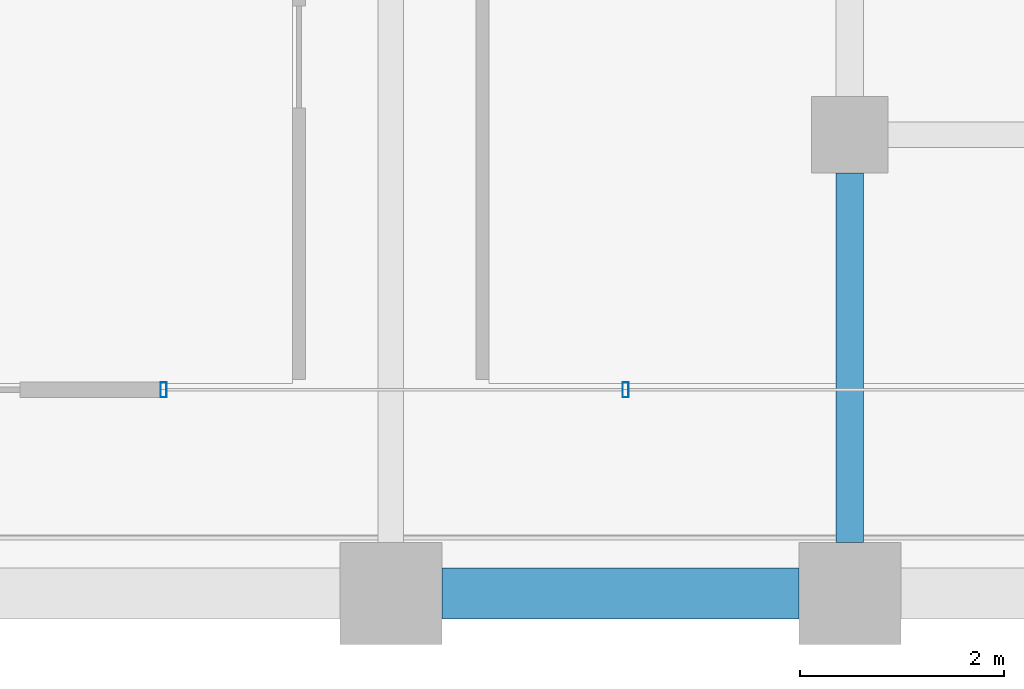
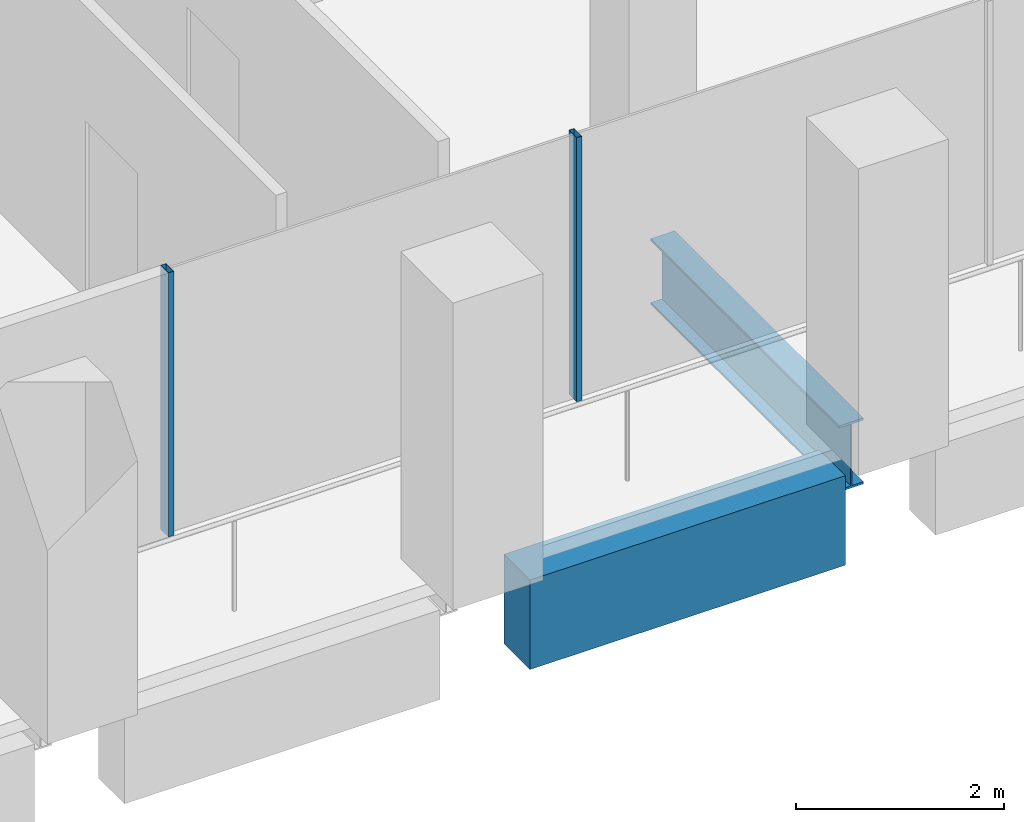
# One storey, part 9 of 46: 2 beams, 2 members, 1 element without a shape of its own.
"""IFC4 building model written with IfcOpenShell, lengths in metres."""

from ifc_helpers import new_model, si_unit, direction, frame, origin, origin_2d, place, context, subcontext, project, spatial, rectangle, hollow_rectangle, i_section, extrude, material, material_profile, profile_set, type_object, element, aggregate, save


model = new_model("IFC4")

# Units and contexts
model_context = context("Model", 3, precision=1e-05, world=origin(), true_north=direction((0.0, 1.0)))
body_context = subcontext(model_context, "Body", "Model", "MODEL_VIEW")
ifc_project = project(units=[si_unit("LENGTHUNIT", "METRE"), si_unit("AREAUNIT", "SQUARE_METRE"), si_unit("VOLUMEUNIT", "CUBIC_METRE"), si_unit("PLANEANGLEUNIT", "RADIAN"), si_unit("MASSUNIT", "GRAM", prefix="KILO")], contexts=[model_context])

# Site, building, storey
site_placement = place(None, origin())
site = spatial("IfcSite", under=ifc_project, at=site_placement, CompositionType="ELEMENT")
building_placement = place(site_placement, origin())
building = spatial("IfcBuilding", under=site, at=building_placement, Name="Altepetl Exchange Towers", CompositionType="ELEMENT")
storey_placement = place(building_placement, frame((0.0, 0.0, 131.60009765625)))
storey = spatial("IfcBuildingStorey", under=building, at=storey_placement, Name="L32", CompositionType="ELEMENT", Elevation=131.60009765625)

# Beam
ifc_material_1 = material(Name="Steel S355", Category="steel")
ifc_material_profile_1 = material_profile(ifc_material_1, i_section(OverallWidth=0.26806640625, OverallDepth=0.77392578125, WebThickness=0.015380859375, FlangeThickness=0.025390625, at=origin_2d()), Name="W30X132")
ifc_profile_set_1 = profile_set([ifc_material_profile_1], Name="Steel S355")
beam_type_1 = type_object("IfcBeamType", Name="Girder W30X132", PredefinedType="BEAM", material=ifc_profile_set_1)
beam_1_placement = place(storey_placement, frame((58.5, 31.125, -0.537109375), z_axis=(0.0, -1.0, 0.0), x_axis=(1.0, 0.0, 0.0)))
element("IfcBeam", 1, at=beam_1_placement, inside=storey, type_object=beam_type_1, Name="gd:A:L32:005", PredefinedType="BEAM", context=body_context, shape_type="SweptSolid", body=[
    extrude(i_section(OverallWidth=0.26806640625, OverallDepth=0.77392578125, WebThickness=0.015380859375, FlangeThickness=0.025390625, at=origin_2d()), origin(), (0.0, 0.0, 1.0), 3.625),
])

# Curtain wall, members
ifc_material_2 = material(Name="Aluminium 6063-T6 glazing", Category="aluminium")
curtain_wall_type = type_object("IfcCurtainWallType", Name="Loggia glazing system", PredefinedType="NOTDEFINED", material=ifc_material_2)
curtain_wall_placement = place(storey_placement, origin())
curtain_wall = element("IfcCurtainWall", 2, at=curtain_wall_placement, inside=storey, type_object=curtain_wall_type, Name="CW1 run", PredefinedType="NOTDEFINED")
ifc_material_3 = material(Name="Aluminium 6063-T6", Category="aluminium")
ifc_material_profile_2 = material_profile(ifc_material_3, hollow_rectangle(XDim=0.06005859375, YDim=0.14990234375, WallThickness=0.0029296875, at=origin_2d()), Name="Mullion 60x150 aluminium")
ifc_profile_set_2 = profile_set([ifc_material_profile_2], Name="Aluminium 6063-T6")
member_type = type_object("IfcMemberType", Name="Mullion 60x150 aluminium", PredefinedType="MULLION", material=ifc_profile_set_2)
member_1_placement = place(storey_placement, frame((51.77294921875, 29.0, 0.0)))
member_1 = element("IfcMember", 3, at=member_1_placement, type_object=member_type, Name="MU1 mullion", PredefinedType="MULLION", context=body_context, shape_type="SweptSolid", body=[
    extrude(hollow_rectangle(XDim=0.06005859375, YDim=0.14990234375, WallThickness=0.0029296875, at=origin_2d()), origin(), (0.0, 0.0, 1.0), 3.099853515625),
])
member_2_placement = place(storey_placement, frame((56.303466796875, 29.0, 0.0)))
member_2 = element("IfcMember", 4, at=member_2_placement, type_object=member_type, Name="MU1 mullion", PredefinedType="MULLION", context=body_context, shape_type="SweptSolid", body=[
    extrude(hollow_rectangle(XDim=0.06005859375, YDim=0.14990234375, WallThickness=0.0029296875, at=origin_2d()), origin(), (0.0, 0.0, 1.0), 3.099853515625),
])
aggregate(curtain_wall, [member_1, member_2])

# Beam
ifc_material_4 = material(Name="Concrete C50/60 precast with cantera blanca facing", Category="concrete")
ifc_material_profile_3 = material_profile(ifc_material_4, rectangle(XDim=0.5, YDim=1.050048828125, at=origin_2d()), Name="500 x 1050")
ifc_profile_set_3 = profile_set([ifc_material_profile_3], Name="Concrete C50/60 precast with cantera blanca facing")
beam_type_2 = type_object("IfcBeamType", Name="Spandrel beam 500x1050 cantera blanca", PredefinedType="SPANDREL", material=ifc_profile_set_3)
beam_2_placement = place(storey_placement, frame((54.5, 27.0, -0.675048828125), z_axis=(1.0, 0.0, 0.0), x_axis=(0.0, 1.0, 0.0)))
element("IfcBeam", 5, at=beam_2_placement, inside=storey, type_object=beam_type_2, Name="sp:A:L32:005", PredefinedType="SPANDREL", context=body_context, shape_type="SweptSolid", body=[
    extrude(rectangle(XDim=0.5, YDim=1.050048828125, at=origin_2d()), origin(), (0.0, 0.0, 1.0), 3.5),
])

save(model, "model.ifc")
